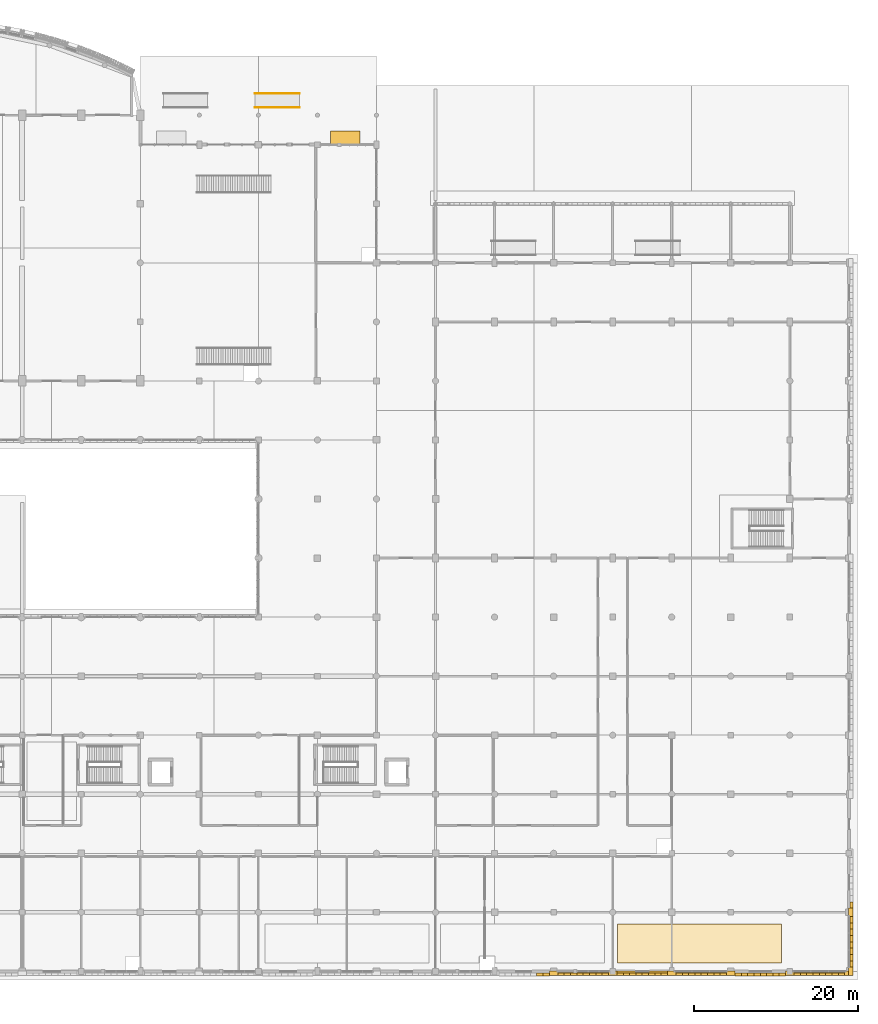
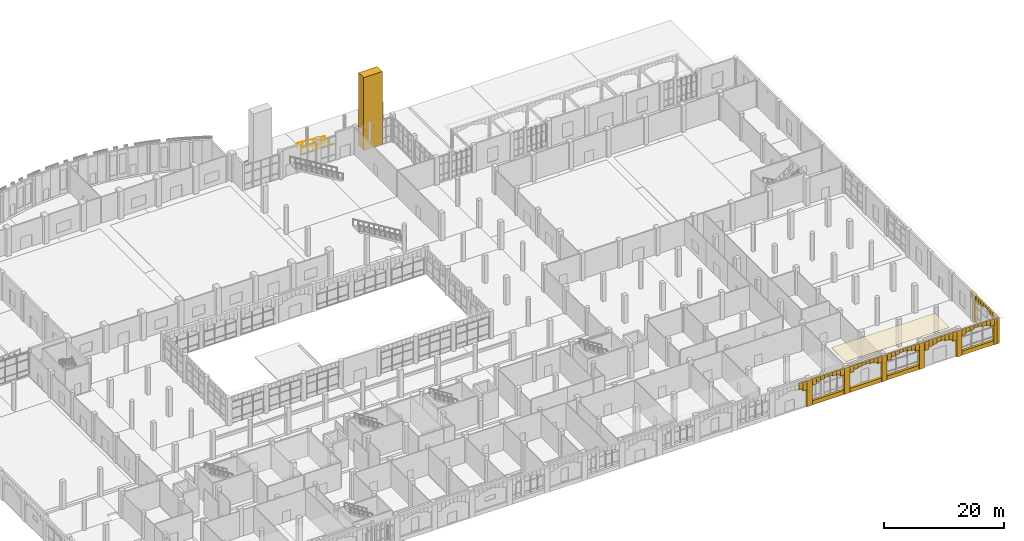
# One storey, part 82 of 85: 65 coverings, 2 railings.
"""IFC4 building model written with IfcOpenShell, lengths in metres."""

from ifc_helpers import new_model, si_unit, direction, frame, frame_2d, origin, origin_2d, place, context, subcontext, project, spatial, polyline, rectangle, circle, outline, extrude, material, layer, layer_set, type_object, element, save


model = new_model("IFC4")

# Units and contexts
model_context = context("Model", 3, precision=1e-05, world=origin(), true_north=direction((0.0, 1.0)))
body_context = subcontext(model_context, "Body", "Model", "MODEL_VIEW")
ifc_project = project(units=[si_unit("LENGTHUNIT", "METRE"), si_unit("AREAUNIT", "SQUARE_METRE"), si_unit("VOLUMEUNIT", "CUBIC_METRE"), si_unit("PLANEANGLEUNIT", "RADIAN"), si_unit("MASSUNIT", "GRAM", prefix="KILO")], contexts=[model_context])

# Site, building, storey
site_placement = place(None, origin())
site = spatial("IfcSite", under=ifc_project, at=site_placement, CompositionType="ELEMENT")
building_placement = place(site_placement, origin())
building = spatial("IfcBuilding", under=site, at=building_placement, Name="Sardonyx Promenade Sports Hall", CompositionType="ELEMENT")
storey_placement = place(building_placement, origin())
storey = spatial("IfcBuildingStorey", under=building, at=storey_placement, Name="L00", CompositionType="ELEMENT", Elevation=0.0)

# Coverings
ifc_material_1 = material(Name="Perforated acoustic mineral-fibre baffle ceiling", Category="other")
ifc_layer_1 = layer(ifc_material_1, 0.0400390625)
ifc_layer_set_1 = layer_set([ifc_layer_1], Name="Cov_Ceil_Acoustic")
covering_type_1 = type_object("IfcCoveringType", Name="Cov_Ceil_Acoustic", PredefinedType="CEILING", material=ifc_layer_set_1)
covering_1_placement = place(storey_placement, frame((0.0, 0.0, 5.27001953125)))
element("IfcCovering", 1, at=covering_1_placement, inside=storey, type_object=covering_type_1, Name="Acoustic baffle ceiling CLG1 L00 #5", PredefinedType="CEILING", context=body_context, shape_type="SweptSolid", body=[
    extrude(outline(polyline([(137.39990234375, 5.800048828125), (137.39990234375, 1.0), (157.39990234375, 1.0), (157.39990234375, 5.800048828125), (137.39990234375, 5.800048828125)])), origin(), (0.0, 0.0, 1.0), 0.0400390625),
])
ifc_material_2 = material(Name="Dressed Cape red sandstone ashlar", Category="masonry")
ifc_layer_2 = layer(ifc_material_2, 0.06005859375)
ifc_layer_set_2 = layer_set([ifc_layer_2], Name="Cov_Cladding_Sandstone")
covering_type_2 = type_object("IfcCoveringType", Name="Cov_Cladding_Sandstone", PredefinedType="CLADDING", material=ifc_layer_set_2)
covering_2_placement = place(storey_placement, origin())
element("IfcCovering", 2, at=covering_2_placement, inside=storey, type_object=covering_type_2, Name="South sandstone bay pier casing L00 #18", PredefinedType="CLADDING", context=body_context, shape_type="SweptSolid", body=[
    extrude(outline(polyline([(129.080078125, -0.52001953125), (130.1201171875, -0.52001953125), (130.1201171875, 0.02001953125), (129.080078125, 0.02001953125), (129.080078125, -0.52001953125)])), origin(), (0.0, 0.0, 1.0), 5.25),
])
covering_3_placement = place(storey_placement, origin())
element("IfcCovering", 3, at=covering_3_placement, inside=storey, type_object=covering_type_2, Name="South sandstone bay pier casing L00 #19", PredefinedType="CLADDING", context=body_context, shape_type="SweptSolid", body=[
    extrude(outline(polyline([(136.280029296875, -0.52001953125), (137.320068359375, -0.52001953125), (137.320068359375, 0.02001953125), (136.280029296875, 0.02001953125), (136.280029296875, -0.52001953125)])), origin(), (0.0, 0.0, 1.0), 5.25),
])
covering_4_placement = place(storey_placement, origin())
element("IfcCovering", 4, at=covering_4_placement, inside=storey, type_object=covering_type_2, Name="South sandstone bay pier casing L00 #20", PredefinedType="CLADDING", context=body_context, shape_type="SweptSolid", body=[
    extrude(outline(polyline([(143.47998046875, -0.52001953125), (144.52001953125, -0.52001953125), (144.52001953125, 0.02001953125), (143.47998046875, 0.02001953125), (143.47998046875, -0.52001953125)])), origin(), (0.0, 0.0, 1.0), 5.25),
])
covering_5_placement = place(storey_placement, origin())
element("IfcCovering", 5, at=covering_5_placement, inside=storey, type_object=covering_type_2, Name="South sandstone bay pier casing L00 #21", PredefinedType="CLADDING", context=body_context, shape_type="SweptSolid", body=[
    extrude(outline(polyline([(150.679931640625, -0.52001953125), (151.719970703125, -0.52001953125), (151.719970703125, 0.02001953125), (150.679931640625, 0.02001953125), (150.679931640625, -0.52001953125)])), origin(), (0.0, 0.0, 1.0), 5.25),
])
covering_6_placement = place(storey_placement, origin())
element("IfcCovering", 6, at=covering_6_placement, inside=storey, type_object=covering_type_2, Name="South sandstone bay pier casing L00 #22", PredefinedType="CLADDING", context=body_context, shape_type="SweptSolid", body=[
    extrude(outline(polyline([(157.8798828125, -0.52001953125), (158.919921875, -0.52001953125), (158.919921875, 0.02001953125), (157.8798828125, 0.02001953125), (157.8798828125, -0.52001953125)])), origin(), (0.0, 0.0, 1.0), 5.25),
])
covering_7_placement = place(storey_placement, origin())
element("IfcCovering", 7, at=covering_7_placement, inside=storey, type_object=covering_type_2, Name="South sandstone bay pier casing L00 #23", PredefinedType="CLADDING", context=body_context, shape_type="SweptSolid", body=[
    extrude(outline(polyline([(165.080078125, -0.52001953125), (166.1201171875, -0.52001953125), (166.1201171875, 0.02001953125), (165.080078125, 0.02001953125), (165.080078125, -0.52001953125)])), origin(), (0.0, 0.0, 1.0), 5.25),
])
covering_8_placement = place(storey_placement, origin())
element("IfcCovering", 8, at=covering_8_placement, inside=storey, type_object=covering_type_2, Name="South sandstone sill spandrel L00 #0", PredefinedType="CLADDING", context=body_context, shape_type="SweptSolid", body=[
    extrude(outline(polyline([(158.919921875, -0.4599609375), (165.080078125, -0.4599609375), (165.080078125, 0.02001953125), (158.919921875, 0.02001953125), (158.919921875, -0.4599609375)])), origin(), (0.0, 0.0, 1.0), 0.820068359375),
])
covering_9_placement = place(storey_placement, origin())
element("IfcCovering", 9, at=covering_9_placement, inside=storey, type_object=covering_type_2, Name="South sandstone sill spandrel L00 #2", PredefinedType="CLADDING", context=body_context, shape_type="SweptSolid", body=[
    extrude(outline(polyline([(144.52001953125, -0.4599609375), (150.679931640625, -0.4599609375), (150.679931640625, 0.02001953125), (144.52001953125, 0.02001953125), (144.52001953125, -0.4599609375)])), origin(), (0.0, 0.0, 1.0), 0.820068359375),
])
covering_10_placement = place(storey_placement, origin())
element("IfcCovering", 10, at=covering_10_placement, inside=storey, type_object=covering_type_2, Name="South sandstone sill spandrel L00 #3", PredefinedType="CLADDING", context=body_context, shape_type="SweptSolid", body=[
    extrude(outline(polyline([(137.320068359375, -0.4599609375), (143.47998046875, -0.4599609375), (143.47998046875, 0.02001953125), (137.320068359375, 0.02001953125), (137.320068359375, -0.4599609375)])), origin(), (0.0, 0.0, 1.0), 0.820068359375),
])
covering_11_placement = place(storey_placement, origin())
element("IfcCovering", 11, at=covering_11_placement, inside=storey, type_object=covering_type_2, Name="South sandstone sill spandrel L00 #4", PredefinedType="CLADDING", context=body_context, shape_type="SweptSolid", body=[
    extrude(outline(polyline([(130.1201171875, -0.4599609375), (136.280029296875, -0.4599609375), (136.280029296875, 0.02001953125), (130.1201171875, 0.02001953125), (130.1201171875, -0.4599609375)])), origin(), (0.0, 0.0, 1.0), 0.820068359375),
])
covering_12_placement = place(storey_placement, origin())
element("IfcCovering", 12, at=covering_12_placement, inside=storey, type_object=covering_type_2, Name="East sandstone pier casing L00 #0", PredefinedType="CLADDING", context=body_context, shape_type="SweptSolid", body=[
    extrude(outline(polyline([(165.580078125, -0.52001953125), (166.080078125, -0.52001953125), (166.080078125, 0.52001953125), (165.580078125, 0.52001953125), (165.580078125, -0.52001953125)])), origin(), (0.0, 0.0, 1.0), 5.25),
])
covering_13_placement = place(storey_placement, origin())
element("IfcCovering", 13, at=covering_13_placement, inside=storey, type_object=covering_type_2, Name="East sandstone pier casing L00 #1", PredefinedType="CLADDING", context=body_context, shape_type="SweptSolid", body=[
    extrude(outline(polyline([(165.580078125, 6.679931640625), (166.080078125, 6.679931640625), (166.080078125, 7.719970703125), (165.580078125, 7.719970703125), (165.580078125, 6.679931640625)])), origin(), (0.0, 0.0, 1.0), 5.25),
])
ifc_material_3 = material(Name="Carved Cape red sandstone ashlar", Category="masonry")
ifc_layer_3 = layer(ifc_material_3, 0.239990234375)
ifc_layer_set_3 = layer_set([ifc_layer_3], Name="Cov_Mughal_Arch")
covering_type_3 = type_object("IfcCoveringType", Name="Cov_Mughal_Arch", PredefinedType="CLADDING", material=ifc_layer_set_3)
covering_14_placement = place(storey_placement, origin())
element("IfcCovering", 14, at=covering_14_placement, inside=storey, type_object=covering_type_3, Name="Monumental Pishtaq sandstone portal pier E", PredefinedType="CLADDING", context=body_context, shape_type="SweptSolid", body=[
    extrude(outline(polyline([(102.39990234375, 100.75), (106.0, 100.75), (106.0, 102.449951171875), (102.39990234375, 102.449951171875), (102.39990234375, 100.75)])), origin(), (0.0, 0.0, 1.0), 14.800048828125),
])
covering_15_placement = place(storey_placement, frame((158.919921875, -0.360107421875, 3.977783203125), z_axis=(0.0, 0.0, 1.0), x_axis=(1.0, 0.0, 0.0)))
element("IfcCovering", 15, at=covering_15_placement, inside=storey, type_object=covering_type_3, Name="Mughal pointed-arch spandrel L00 cov:sl00arch:00 #1", PredefinedType="CLADDING", context=body_context, shape_type="SweptSolid", body=[
    extrude(rectangle(XDim=0.77001953125, YDim=0.340087890625, at=frame_2d((0.385009765625, 0.0))), origin(), (0.0, 0.0, 1.0), 1.272216796875),
])
covering_16_placement = place(storey_placement, frame((159.68994140625, -0.360107421875, 4.3671875), z_axis=(0.0, 0.0, 1.0), x_axis=(1.0, 0.0, 0.0)))
element("IfcCovering", 16, at=covering_16_placement, inside=storey, type_object=covering_type_3, Name="Mughal pointed-arch spandrel L00 cov:sl00arch:00 #2", PredefinedType="CLADDING", context=body_context, shape_type="SweptSolid", body=[
    extrude(rectangle(XDim=0.77001953125, YDim=0.340087890625, at=frame_2d((0.385009765625, 0.0))), origin(), (0.0, 0.0, 1.0), 0.8828125),
])
covering_17_placement = place(storey_placement, frame((160.4599609375, -0.360107421875, 4.51220703125), z_axis=(0.0, 0.0, 1.0), x_axis=(1.0, 0.0, 0.0)))
element("IfcCovering", 17, at=covering_17_placement, inside=storey, type_object=covering_type_3, Name="Mughal pointed-arch spandrel L00 cov:sl00arch:00 #3", PredefinedType="CLADDING", context=body_context, shape_type="SweptSolid", body=[
    extrude(rectangle(XDim=0.77001953125, YDim=0.340087890625, at=frame_2d((0.385009765625, 0.0))), origin(), (0.0, 0.0, 1.0), 0.73779296875),
])
for number, where, z_axis, x_axis, name in (
    (18, (161.22998046875, -0.360107421875, 4.69775390625), (0.0, 0.0, 1.0), (1.0, 0.0, 0.0), "Mughal pointed-arch spandrel L00 cov:sl00arch:00 #4"),
    (19, (162.0, -0.360107421875, 4.69775390625), (0.0, 0.0, 1.0), (1.0, 0.0, 0.0), "Mughal pointed-arch spandrel L00 cov:sl00arch:00 #5"),
):
    element("IfcCovering", number, at=place(storey_placement, frame(where, z_axis=z_axis, x_axis=x_axis)), inside=storey, type_object=covering_type_3, Name=name, PredefinedType="CLADDING", context=body_context, shape_type="SweptSolid", body=[
        extrude(rectangle(XDim=0.77001953125, YDim=0.340087890625, at=frame_2d((0.385009765625, 0.0))), origin(), (0.0, 0.0, 1.0), 0.55224609375),
    ])
covering_18_placement = place(storey_placement, frame((162.77001953125, -0.360107421875, 4.51220703125), z_axis=(0.0, 0.0, 1.0), x_axis=(1.0, 0.0, 0.0)))
element("IfcCovering", 20, at=covering_18_placement, inside=storey, type_object=covering_type_3, Name="Mughal pointed-arch spandrel L00 cov:sl00arch:00 #6", PredefinedType="CLADDING", context=body_context, shape_type="SweptSolid", body=[
    extrude(rectangle(XDim=0.77001953125, YDim=0.340087890625, at=frame_2d((0.385009765625, 0.0))), origin(), (0.0, 0.0, 1.0), 0.73779296875),
])
covering_19_placement = place(storey_placement, frame((163.5400390625, -0.360107421875, 4.3671875), z_axis=(0.0, 0.0, 1.0), x_axis=(1.0, 0.0, 0.0)))
element("IfcCovering", 21, at=covering_19_placement, inside=storey, type_object=covering_type_3, Name="Mughal pointed-arch spandrel L00 cov:sl00arch:00 #7", PredefinedType="CLADDING", context=body_context, shape_type="SweptSolid", body=[
    extrude(rectangle(XDim=0.77001953125, YDim=0.340087890625, at=frame_2d((0.385009765625, 0.0))), origin(), (0.0, 0.0, 1.0), 0.8828125),
])
covering_20_placement = place(storey_placement, frame((164.31005859375, -0.360107421875, 3.977783203125), z_axis=(0.0, 0.0, 1.0), x_axis=(1.0, 0.0, 0.0)))
element("IfcCovering", 22, at=covering_20_placement, inside=storey, type_object=covering_type_3, Name="Mughal pointed-arch spandrel L00 cov:sl00arch:00 #8", PredefinedType="CLADDING", context=body_context, shape_type="SweptSolid", body=[
    extrude(rectangle(XDim=0.77001953125, YDim=0.340087890625, at=frame_2d((0.385009765625, 0.0))), origin(), (0.0, 0.0, 1.0), 1.272216796875),
])
covering_21_placement = place(storey_placement, frame((151.719970703125, -0.360107421875, 3.463134765625), z_axis=(0.0, 0.0, 1.0), x_axis=(1.0, 0.0, 0.0)))
element("IfcCovering", 23, at=covering_21_placement, inside=storey, type_object=covering_type_3, Name="Mughal pointed-arch spandrel L00 cov:sdoorarch:01 #1", PredefinedType="CLADDING", context=body_context, shape_type="SweptSolid", body=[
    extrude(rectangle(XDim=0.77001953125, YDim=0.360107421875, at=frame_2d((0.385009765625, 0.0))), origin(), (0.0, 0.0, 1.0), 1.786865234375),
])
covering_22_placement = place(storey_placement, frame((152.489990234375, -0.360107421875, 3.9541015625), z_axis=(0.0, 0.0, 1.0), x_axis=(1.0, 0.0, 0.0)))
element("IfcCovering", 24, at=covering_22_placement, inside=storey, type_object=covering_type_3, Name="Mughal pointed-arch spandrel L00 cov:sdoorarch:01 #2", PredefinedType="CLADDING", context=body_context, shape_type="SweptSolid", body=[
    extrude(rectangle(XDim=0.77001953125, YDim=0.360107421875, at=frame_2d((0.385009765625, 0.0))), origin(), (0.0, 0.0, 1.0), 1.2958984375),
])
covering_23_placement = place(storey_placement, frame((153.260009765625, -0.360107421875, 4.13720703125), z_axis=(0.0, 0.0, 1.0), x_axis=(1.0, 0.0, 0.0)))
element("IfcCovering", 25, at=covering_23_placement, inside=storey, type_object=covering_type_3, Name="Mughal pointed-arch spandrel L00 cov:sdoorarch:01 #3", PredefinedType="CLADDING", context=body_context, shape_type="SweptSolid", body=[
    extrude(rectangle(XDim=0.77001953125, YDim=0.360107421875, at=frame_2d((0.385009765625, 0.0))), origin(), (0.0, 0.0, 1.0), 1.11279296875),
])
for number, where, z_axis, x_axis, name in (
    (26, (154.030029296875, -0.360107421875, 4.37109375), (0.0, 0.0, 1.0), (1.0, 0.0, 0.0), "Mughal pointed-arch spandrel L00 cov:sdoorarch:01 #4"),
    (27, (154.800048828125, -0.360107421875, 4.37109375), (0.0, 0.0, 1.0), (1.0, 0.0, 0.0), "Mughal pointed-arch spandrel L00 cov:sdoorarch:01 #5"),
):
    element("IfcCovering", number, at=place(storey_placement, frame(where, z_axis=z_axis, x_axis=x_axis)), inside=storey, type_object=covering_type_3, Name=name, PredefinedType="CLADDING", context=body_context, shape_type="SweptSolid", body=[
        extrude(rectangle(XDim=0.77001953125, YDim=0.360107421875, at=frame_2d((0.385009765625, 0.0))), origin(), (0.0, 0.0, 1.0), 0.87890625),
    ])
covering_24_placement = place(storey_placement, frame((155.570068359375, -0.360107421875, 4.13720703125), z_axis=(0.0, 0.0, 1.0), x_axis=(1.0, 0.0, 0.0)))
element("IfcCovering", 28, at=covering_24_placement, inside=storey, type_object=covering_type_3, Name="Mughal pointed-arch spandrel L00 cov:sdoorarch:01 #6", PredefinedType="CLADDING", context=body_context, shape_type="SweptSolid", body=[
    extrude(rectangle(XDim=0.77001953125, YDim=0.360107421875, at=frame_2d((0.385009765625, 0.0))), origin(), (0.0, 0.0, 1.0), 1.11279296875),
])
covering_25_placement = place(storey_placement, frame((156.340087890625, -0.360107421875, 3.9541015625), z_axis=(0.0, 0.0, 1.0), x_axis=(1.0, 0.0, 0.0)))
element("IfcCovering", 29, at=covering_25_placement, inside=storey, type_object=covering_type_3, Name="Mughal pointed-arch spandrel L00 cov:sdoorarch:01 #7", PredefinedType="CLADDING", context=body_context, shape_type="SweptSolid", body=[
    extrude(rectangle(XDim=0.77001953125, YDim=0.360107421875, at=frame_2d((0.385009765625, 0.0))), origin(), (0.0, 0.0, 1.0), 1.2958984375),
])
covering_26_placement = place(storey_placement, frame((157.110107421875, -0.360107421875, 3.463134765625), z_axis=(0.0, 0.0, 1.0), x_axis=(1.0, 0.0, 0.0)))
element("IfcCovering", 30, at=covering_26_placement, inside=storey, type_object=covering_type_3, Name="Mughal pointed-arch spandrel L00 cov:sdoorarch:01 #8", PredefinedType="CLADDING", context=body_context, shape_type="SweptSolid", body=[
    extrude(rectangle(XDim=0.769775390625, YDim=0.360107421875, at=frame_2d((0.384765625, 0.0))), origin(), (0.0, 0.0, 1.0), 1.786865234375),
])
covering_27_placement = place(storey_placement, frame((144.52001953125, -0.360107421875, 3.977783203125), z_axis=(0.0, 0.0, 1.0), x_axis=(1.0, 0.0, 0.0)))
element("IfcCovering", 31, at=covering_27_placement, inside=storey, type_object=covering_type_3, Name="Mughal pointed-arch spandrel L00 cov:sl00arch:02 #1", PredefinedType="CLADDING", context=body_context, shape_type="SweptSolid", body=[
    extrude(rectangle(XDim=0.77001953125, YDim=0.340087890625, at=frame_2d((0.385009765625, 0.0))), origin(), (0.0, 0.0, 1.0), 1.272216796875),
])
covering_28_placement = place(storey_placement, frame((145.2900390625, -0.360107421875, 4.3671875), z_axis=(0.0, 0.0, 1.0), x_axis=(1.0, 0.0, 0.0)))
element("IfcCovering", 32, at=covering_28_placement, inside=storey, type_object=covering_type_3, Name="Mughal pointed-arch spandrel L00 cov:sl00arch:02 #2", PredefinedType="CLADDING", context=body_context, shape_type="SweptSolid", body=[
    extrude(rectangle(XDim=0.77001953125, YDim=0.340087890625, at=frame_2d((0.385009765625, 0.0))), origin(), (0.0, 0.0, 1.0), 0.8828125),
])
covering_29_placement = place(storey_placement, frame((146.06005859375, -0.360107421875, 4.51220703125), z_axis=(0.0, 0.0, 1.0), x_axis=(1.0, 0.0, 0.0)))
element("IfcCovering", 33, at=covering_29_placement, inside=storey, type_object=covering_type_3, Name="Mughal pointed-arch spandrel L00 cov:sl00arch:02 #3", PredefinedType="CLADDING", context=body_context, shape_type="SweptSolid", body=[
    extrude(rectangle(XDim=0.77001953125, YDim=0.340087890625, at=frame_2d((0.385009765625, 0.0))), origin(), (0.0, 0.0, 1.0), 0.73779296875),
])
for number, where, z_axis, x_axis, name in (
    (34, (146.830078125, -0.360107421875, 4.69775390625), (0.0, 0.0, 1.0), (1.0, 0.0, 0.0), "Mughal pointed-arch spandrel L00 cov:sl00arch:02 #4"),
    (35, (147.60009765625, -0.360107421875, 4.69775390625), (0.0, 0.0, 1.0), (1.0, 0.0, 0.0), "Mughal pointed-arch spandrel L00 cov:sl00arch:02 #5"),
):
    element("IfcCovering", number, at=place(storey_placement, frame(where, z_axis=z_axis, x_axis=x_axis)), inside=storey, type_object=covering_type_3, Name=name, PredefinedType="CLADDING", context=body_context, shape_type="SweptSolid", body=[
        extrude(rectangle(XDim=0.77001953125, YDim=0.340087890625, at=frame_2d((0.385009765625, 0.0))), origin(), (0.0, 0.0, 1.0), 0.55224609375),
    ])
covering_30_placement = place(storey_placement, frame((148.3701171875, -0.360107421875, 4.51220703125), z_axis=(0.0, 0.0, 1.0), x_axis=(1.0, 0.0, 0.0)))
element("IfcCovering", 36, at=covering_30_placement, inside=storey, type_object=covering_type_3, Name="Mughal pointed-arch spandrel L00 cov:sl00arch:02 #6", PredefinedType="CLADDING", context=body_context, shape_type="SweptSolid", body=[
    extrude(rectangle(XDim=0.769775390625, YDim=0.340087890625, at=frame_2d((0.384765625, 0.0))), origin(), (0.0, 0.0, 1.0), 0.73779296875),
])
covering_31_placement = place(storey_placement, frame((149.139892578125, -0.360107421875, 4.3671875), z_axis=(0.0, 0.0, 1.0), x_axis=(1.0, 0.0, 0.0)))
element("IfcCovering", 37, at=covering_31_placement, inside=storey, type_object=covering_type_3, Name="Mughal pointed-arch spandrel L00 cov:sl00arch:02 #7", PredefinedType="CLADDING", context=body_context, shape_type="SweptSolid", body=[
    extrude(rectangle(XDim=0.77001953125, YDim=0.340087890625, at=frame_2d((0.385009765625, 0.0))), origin(), (0.0, 0.0, 1.0), 0.8828125),
])
for number, where, z_axis, x_axis, name in (
    (38, (149.909912109375, -0.360107421875, 3.977783203125), (0.0, 0.0, 1.0), (1.0, 0.0, 0.0), "Mughal pointed-arch spandrel L00 cov:sl00arch:02 #8"),
    (39, (137.320068359375, -0.360107421875, 3.977783203125), (0.0, 0.0, 1.0), (1.0, 0.0, 0.0), "Mughal pointed-arch spandrel L00 cov:sl00arch:03 #1"),
):
    element("IfcCovering", number, at=place(storey_placement, frame(where, z_axis=z_axis, x_axis=x_axis)), inside=storey, type_object=covering_type_3, Name=name, PredefinedType="CLADDING", context=body_context, shape_type="SweptSolid", body=[
        extrude(rectangle(XDim=0.77001953125, YDim=0.340087890625, at=frame_2d((0.385009765625, 0.0))), origin(), (0.0, 0.0, 1.0), 1.272216796875),
    ])
covering_32_placement = place(storey_placement, frame((138.090087890625, -0.360107421875, 4.3671875), z_axis=(0.0, 0.0, 1.0), x_axis=(1.0, 0.0, 0.0)))
element("IfcCovering", 40, at=covering_32_placement, inside=storey, type_object=covering_type_3, Name="Mughal pointed-arch spandrel L00 cov:sl00arch:03 #2", PredefinedType="CLADDING", context=body_context, shape_type="SweptSolid", body=[
    extrude(rectangle(XDim=0.77001953125, YDim=0.340087890625, at=frame_2d((0.385009765625, 0.0))), origin(), (0.0, 0.0, 1.0), 0.8828125),
])
covering_33_placement = place(storey_placement, frame((138.860107421875, -0.360107421875, 4.51220703125), z_axis=(0.0, 0.0, 1.0), x_axis=(1.0, 0.0, 0.0)))
element("IfcCovering", 41, at=covering_33_placement, inside=storey, type_object=covering_type_3, Name="Mughal pointed-arch spandrel L00 cov:sl00arch:03 #3", PredefinedType="CLADDING", context=body_context, shape_type="SweptSolid", body=[
    extrude(rectangle(XDim=0.769775390625, YDim=0.340087890625, at=frame_2d((0.384765625, 0.0))), origin(), (0.0, 0.0, 1.0), 0.73779296875),
])
for number, where, z_axis, x_axis, name in (
    (42, (139.6298828125, -0.360107421875, 4.69775390625), (0.0, 0.0, 1.0), (1.0, 0.0, 0.0), "Mughal pointed-arch spandrel L00 cov:sl00arch:03 #4"),
    (43, (140.39990234375, -0.360107421875, 4.69775390625), (0.0, 0.0, 1.0), (1.0, 0.0, 0.0), "Mughal pointed-arch spandrel L00 cov:sl00arch:03 #5"),
):
    element("IfcCovering", number, at=place(storey_placement, frame(where, z_axis=z_axis, x_axis=x_axis)), inside=storey, type_object=covering_type_3, Name=name, PredefinedType="CLADDING", context=body_context, shape_type="SweptSolid", body=[
        extrude(rectangle(XDim=0.77001953125, YDim=0.340087890625, at=frame_2d((0.385009765625, 0.0))), origin(), (0.0, 0.0, 1.0), 0.55224609375),
    ])
covering_34_placement = place(storey_placement, frame((141.169921875, -0.360107421875, 4.51220703125), z_axis=(0.0, 0.0, 1.0), x_axis=(1.0, 0.0, 0.0)))
element("IfcCovering", 44, at=covering_34_placement, inside=storey, type_object=covering_type_3, Name="Mughal pointed-arch spandrel L00 cov:sl00arch:03 #6", PredefinedType="CLADDING", context=body_context, shape_type="SweptSolid", body=[
    extrude(rectangle(XDim=0.77001953125, YDim=0.340087890625, at=frame_2d((0.385009765625, 0.0))), origin(), (0.0, 0.0, 1.0), 0.73779296875),
])
covering_35_placement = place(storey_placement, frame((141.93994140625, -0.360107421875, 4.3671875), z_axis=(0.0, 0.0, 1.0), x_axis=(1.0, 0.0, 0.0)))
element("IfcCovering", 45, at=covering_35_placement, inside=storey, type_object=covering_type_3, Name="Mughal pointed-arch spandrel L00 cov:sl00arch:03 #7", PredefinedType="CLADDING", context=body_context, shape_type="SweptSolid", body=[
    extrude(rectangle(XDim=0.77001953125, YDim=0.340087890625, at=frame_2d((0.385009765625, 0.0))), origin(), (0.0, 0.0, 1.0), 0.8828125),
])
covering_36_placement = place(storey_placement, frame((142.7099609375, -0.360107421875, 3.977783203125), z_axis=(0.0, 0.0, 1.0), x_axis=(1.0, 0.0, 0.0)))
element("IfcCovering", 46, at=covering_36_placement, inside=storey, type_object=covering_type_3, Name="Mughal pointed-arch spandrel L00 cov:sl00arch:03 #8", PredefinedType="CLADDING", context=body_context, shape_type="SweptSolid", body=[
    extrude(rectangle(XDim=0.77001953125, YDim=0.340087890625, at=frame_2d((0.385009765625, 0.0))), origin(), (0.0, 0.0, 1.0), 1.272216796875),
])
covering_37_placement = place(storey_placement, frame((130.1201171875, -0.360107421875, 3.977783203125), z_axis=(0.0, 0.0, 1.0), x_axis=(1.0, 0.0, 0.0)))
element("IfcCovering", 47, at=covering_37_placement, inside=storey, type_object=covering_type_3, Name="Mughal pointed-arch spandrel L00 cov:sl00arch:04 #1", PredefinedType="CLADDING", context=body_context, shape_type="SweptSolid", body=[
    extrude(rectangle(XDim=0.769775390625, YDim=0.340087890625, at=frame_2d((0.384765625, 0.0))), origin(), (0.0, 0.0, 1.0), 1.272216796875),
])
covering_38_placement = place(storey_placement, frame((130.889892578125, -0.360107421875, 4.3671875), z_axis=(0.0, 0.0, 1.0), x_axis=(1.0, 0.0, 0.0)))
element("IfcCovering", 48, at=covering_38_placement, inside=storey, type_object=covering_type_3, Name="Mughal pointed-arch spandrel L00 cov:sl00arch:04 #2", PredefinedType="CLADDING", context=body_context, shape_type="SweptSolid", body=[
    extrude(rectangle(XDim=0.77001953125, YDim=0.340087890625, at=frame_2d((0.385009765625, 0.0))), origin(), (0.0, 0.0, 1.0), 0.8828125),
])
covering_39_placement = place(storey_placement, frame((131.659912109375, -0.360107421875, 4.51220703125), z_axis=(0.0, 0.0, 1.0), x_axis=(1.0, 0.0, 0.0)))
element("IfcCovering", 49, at=covering_39_placement, inside=storey, type_object=covering_type_3, Name="Mughal pointed-arch spandrel L00 cov:sl00arch:04 #3", PredefinedType="CLADDING", context=body_context, shape_type="SweptSolid", body=[
    extrude(rectangle(XDim=0.77001953125, YDim=0.340087890625, at=frame_2d((0.385009765625, 0.0))), origin(), (0.0, 0.0, 1.0), 0.73779296875),
])
for number, where, z_axis, x_axis, name in (
    (50, (132.429931640625, -0.360107421875, 4.69775390625), (0.0, 0.0, 1.0), (1.0, 0.0, 0.0), "Mughal pointed-arch spandrel L00 cov:sl00arch:04 #4"),
    (51, (133.199951171875, -0.360107421875, 4.69775390625), (0.0, 0.0, 1.0), (1.0, 0.0, 0.0), "Mughal pointed-arch spandrel L00 cov:sl00arch:04 #5"),
):
    element("IfcCovering", number, at=place(storey_placement, frame(where, z_axis=z_axis, x_axis=x_axis)), inside=storey, type_object=covering_type_3, Name=name, PredefinedType="CLADDING", context=body_context, shape_type="SweptSolid", body=[
        extrude(rectangle(XDim=0.77001953125, YDim=0.340087890625, at=frame_2d((0.385009765625, 0.0))), origin(), (0.0, 0.0, 1.0), 0.55224609375),
    ])
covering_40_placement = place(storey_placement, frame((133.969970703125, -0.360107421875, 4.51220703125), z_axis=(0.0, 0.0, 1.0), x_axis=(1.0, 0.0, 0.0)))
element("IfcCovering", 52, at=covering_40_placement, inside=storey, type_object=covering_type_3, Name="Mughal pointed-arch spandrel L00 cov:sl00arch:04 #6", PredefinedType="CLADDING", context=body_context, shape_type="SweptSolid", body=[
    extrude(rectangle(XDim=0.77001953125, YDim=0.340087890625, at=frame_2d((0.385009765625, 0.0))), origin(), (0.0, 0.0, 1.0), 0.73779296875),
])
covering_41_placement = place(storey_placement, frame((134.739990234375, -0.360107421875, 4.3671875), z_axis=(0.0, 0.0, 1.0), x_axis=(1.0, 0.0, 0.0)))
element("IfcCovering", 53, at=covering_41_placement, inside=storey, type_object=covering_type_3, Name="Mughal pointed-arch spandrel L00 cov:sl00arch:04 #7", PredefinedType="CLADDING", context=body_context, shape_type="SweptSolid", body=[
    extrude(rectangle(XDim=0.77001953125, YDim=0.340087890625, at=frame_2d((0.385009765625, 0.0))), origin(), (0.0, 0.0, 1.0), 0.8828125),
])
covering_42_placement = place(storey_placement, frame((135.510009765625, -0.360107421875, 3.977783203125), z_axis=(0.0, 0.0, 1.0), x_axis=(1.0, 0.0, 0.0)))
element("IfcCovering", 54, at=covering_42_placement, inside=storey, type_object=covering_type_3, Name="Mughal pointed-arch spandrel L00 cov:sl00arch:04 #8", PredefinedType="CLADDING", context=body_context, shape_type="SweptSolid", body=[
    extrude(rectangle(XDim=0.77001953125, YDim=0.340087890625, at=frame_2d((0.385009765625, 0.0))), origin(), (0.0, 0.0, 1.0), 1.272216796875),
])
covering_43_placement = place(storey_placement, frame((127.5400390625, -0.360107421875, 3.9541015625), z_axis=(0.0, 0.0, 1.0), x_axis=(1.0, 0.0, 0.0)))
element("IfcCovering", 55, at=covering_43_placement, inside=storey, type_object=covering_type_3, Name="Mughal pointed-arch spandrel L00 cov:sdoorarch:05 #7", PredefinedType="CLADDING", context=body_context, shape_type="SweptSolid", body=[
    extrude(rectangle(XDim=0.77001953125, YDim=0.360107421875, at=frame_2d((0.385009765625, 0.0))), origin(), (0.0, 0.0, 1.0), 1.2958984375),
])
covering_44_placement = place(storey_placement, frame((128.31005859375, -0.360107421875, 3.463134765625), z_axis=(0.0, 0.0, 1.0), x_axis=(1.0, 0.0, 0.0)))
element("IfcCovering", 56, at=covering_44_placement, inside=storey, type_object=covering_type_3, Name="Mughal pointed-arch spandrel L00 cov:sdoorarch:05 #8", PredefinedType="CLADDING", context=body_context, shape_type="SweptSolid", body=[
    extrude(rectangle(XDim=0.77001953125, YDim=0.360107421875, at=frame_2d((0.385009765625, 0.0))), origin(), (0.0, 0.0, 1.0), 1.786865234375),
])
covering_45_placement = place(storey_placement, frame((165.919921875, 0.52001953125, 3.977783203125), z_axis=(0.0, 0.0, 1.0), x_axis=(0.0, 1.0, 0.0)))
element("IfcCovering", 57, at=covering_45_placement, inside=storey, type_object=covering_type_3, Name="Mughal pointed-arch spandrel L00 cov:el00arch:00 #1", PredefinedType="CLADDING", context=body_context, shape_type="SweptSolid", body=[
    extrude(rectangle(XDim=0.77001953125, YDim=0.340087890625, at=frame_2d((0.385009765625, 0.0))), origin(), (0.0, 0.0, 1.0), 1.272216796875),
])
covering_46_placement = place(storey_placement, frame((165.919921875, 1.2900390625, 4.3671875), z_axis=(0.0, 0.0, 1.0), x_axis=(0.0, 1.0, 0.0)))
element("IfcCovering", 58, at=covering_46_placement, inside=storey, type_object=covering_type_3, Name="Mughal pointed-arch spandrel L00 cov:el00arch:00 #2", PredefinedType="CLADDING", context=body_context, shape_type="SweptSolid", body=[
    extrude(rectangle(XDim=0.77001953125, YDim=0.340087890625, at=frame_2d((0.385009765625, 0.0))), origin(), (0.0, 0.0, 1.0), 0.8828125),
])
covering_47_placement = place(storey_placement, frame((165.919921875, 2.06005859375, 4.51220703125), z_axis=(0.0, 0.0, 1.0), x_axis=(0.0, 1.0, 0.0)))
element("IfcCovering", 59, at=covering_47_placement, inside=storey, type_object=covering_type_3, Name="Mughal pointed-arch spandrel L00 cov:el00arch:00 #3", PredefinedType="CLADDING", context=body_context, shape_type="SweptSolid", body=[
    extrude(rectangle(XDim=0.77001953125, YDim=0.340087890625, at=frame_2d((0.385009765625, 0.0))), origin(), (0.0, 0.0, 1.0), 0.73779296875),
])
for number, where, z_axis, x_axis, name in (
    (60, (165.919921875, 2.830078125, 4.69775390625), (0.0, 0.0, 1.0), (0.0, 1.0, 0.0), "Mughal pointed-arch spandrel L00 cov:el00arch:00 #4"),
    (61, (165.919921875, 3.60009765625, 4.69775390625), (0.0, 0.0, 1.0), (0.0, 1.0, 0.0), "Mughal pointed-arch spandrel L00 cov:el00arch:00 #5"),
):
    element("IfcCovering", number, at=place(storey_placement, frame(where, z_axis=z_axis, x_axis=x_axis)), inside=storey, type_object=covering_type_3, Name=name, PredefinedType="CLADDING", context=body_context, shape_type="SweptSolid", body=[
        extrude(rectangle(XDim=0.77001953125, YDim=0.340087890625, at=frame_2d((0.385009765625, 0.0))), origin(), (0.0, 0.0, 1.0), 0.55224609375),
    ])
covering_48_placement = place(storey_placement, frame((165.919921875, 4.3701171875, 4.51220703125), z_axis=(0.0, 0.0, 1.0), x_axis=(0.0, 1.0, 0.0)))
element("IfcCovering", 62, at=covering_48_placement, inside=storey, type_object=covering_type_3, Name="Mughal pointed-arch spandrel L00 cov:el00arch:00 #6", PredefinedType="CLADDING", context=body_context, shape_type="SweptSolid", body=[
    extrude(rectangle(XDim=0.769775390625, YDim=0.340087890625, at=frame_2d((0.384765625, 0.0))), origin(), (0.0, 0.0, 1.0), 0.73779296875),
])
covering_49_placement = place(storey_placement, frame((165.919921875, 5.139892578125, 4.3671875), z_axis=(0.0, 0.0, 1.0), x_axis=(0.0, 1.0, 0.0)))
element("IfcCovering", 63, at=covering_49_placement, inside=storey, type_object=covering_type_3, Name="Mughal pointed-arch spandrel L00 cov:el00arch:00 #7", PredefinedType="CLADDING", context=body_context, shape_type="SweptSolid", body=[
    extrude(rectangle(XDim=0.77001953125, YDim=0.340087890625, at=frame_2d((0.385009765625, 0.0))), origin(), (0.0, 0.0, 1.0), 0.8828125),
])
for number, where, z_axis, x_axis, name in (
    (64, (165.919921875, 5.909912109375, 3.977783203125), (0.0, 0.0, 1.0), (0.0, 1.0, 0.0), "Mughal pointed-arch spandrel L00 cov:el00arch:00 #8"),
    (65, (165.919921875, 7.719970703125, 3.977783203125), (0.0, 0.0, 1.0), (0.0, 1.0, 0.0), "Mughal pointed-arch spandrel L00 cov:el00arch:01 #1"),
):
    element("IfcCovering", number, at=place(storey_placement, frame(where, z_axis=z_axis, x_axis=x_axis)), inside=storey, type_object=covering_type_3, Name=name, PredefinedType="CLADDING", context=body_context, shape_type="SweptSolid", body=[
        extrude(rectangle(XDim=0.77001953125, YDim=0.340087890625, at=frame_2d((0.385009765625, 0.0))), origin(), (0.0, 0.0, 1.0), 1.272216796875),
    ])

# Railings
ifc_material_4 = material(Name="Stainless steel Grade 316", Category="steel")
railing_type = type_object("IfcRailingType", Name="Rail_Ext_Handrail_900", PredefinedType="HANDRAIL", material=ifc_material_4)
for number, where, name in (
    (66, (98.60009765625, 105.35009765625, -0.449951171875), "Ramp handrail HR01 #2S"),
    (67, (98.60009765625, 107.050048828125, -0.449951171875), "Ramp handrail HR01 #2N"),
):
    element("IfcRailing", number, at=place(storey_placement, frame(where)), inside=storey, type_object=railing_type, Name=name, PredefinedType="HANDRAIL", context=body_context, shape_type="SweptSolid", body=[
        extrude(circle(Radius=0.02392578125, at=origin_2d()), frame((0.0, 0.0, 0.8759765625), z_axis=(-0.996546690331, 0.0, 0.083034294059), x_axis=(0.0, -1.0, 0.0)), (0.0, 0.0, 1.0), 5.4189453125),
        extrude(circle(Radius=0.02099609375, at=origin_2d()), origin(), (0.0, 0.0, 1.0), 0.851806640625),
        extrude(circle(Radius=0.02099609375, at=origin_2d()), frame((-1.080078125, 0.0, 0.090087890625)), (0.0, 0.0, 1.0), 0.851806640625),
        extrude(circle(Radius=0.02099609375, at=origin_2d()), frame((-2.16015625, 0.0, 0.179931640625)), (0.0, 0.0, 1.0), 0.851806640625),
        extrude(circle(Radius=0.02099609375, at=origin_2d()), frame((-3.239990234375, 0.0, 0.27001953125)), (0.0, 0.0, 1.0), 0.851806640625),
        extrude(circle(Radius=0.02099609375, at=origin_2d()), frame((-4.320068359375, 0.0, 0.35986328125)), (0.0, 0.0, 1.0), 0.851806640625),
        extrude(circle(Radius=0.02099609375, at=origin_2d()), frame((-5.400146484375, 0.0, 0.449951171875)), (0.0, 0.0, 1.0), 0.851806640625),
    ])

save(model, "model.ifc")
